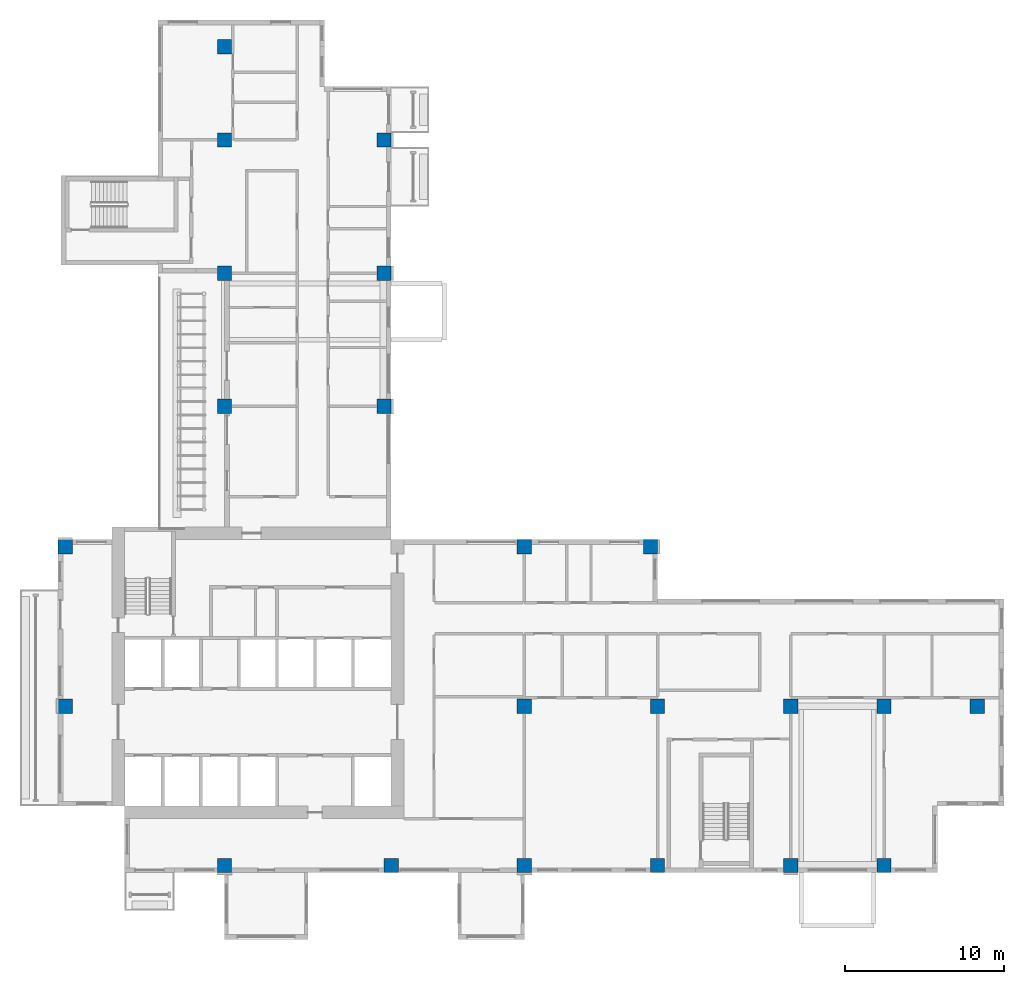
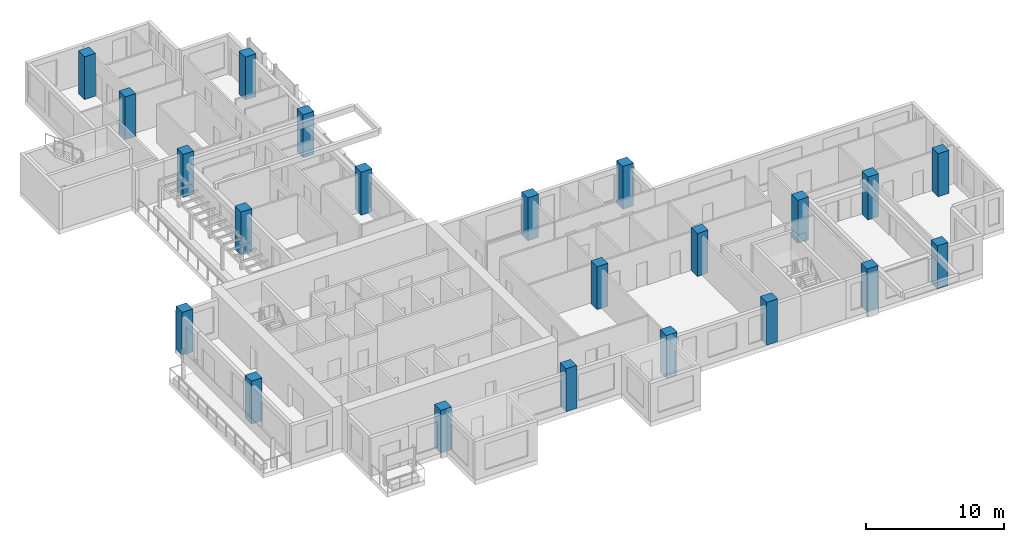
# One storey, part 1 of 14: 22 columns.
"""IFC4 building model written with IfcOpenShell, lengths in metres."""

from ifc_helpers import new_model, si_unit, direction, frame, origin, origin_2d, place, context, subcontext, project, spatial, rectangle, extrude, source, transform, mapped, material, material_profile, profile_set, type_object, element, save


model = new_model("IFC4")

# Units and contexts
model_context = context("Model", 3, precision=1e-05, world=origin(), true_north=direction((0.0, 1.0)))
body_context = subcontext(model_context, "Body", "Model", "MODEL_VIEW")
ifc_project = project(units=[si_unit("LENGTHUNIT", "METRE"), si_unit("AREAUNIT", "SQUARE_METRE"), si_unit("VOLUMEUNIT", "CUBIC_METRE"), si_unit("PLANEANGLEUNIT", "RADIAN"), si_unit("MASSUNIT", "GRAM", prefix="KILO")], contexts=[model_context])

# Site, building, storey
site_placement = place(None, origin())
site = spatial("IfcSite", under=ifc_project, at=site_placement, CompositionType="ELEMENT")
building_placement = place(site_placement, origin())
building = spatial("IfcBuilding", under=site, at=building_placement, Name="Aurelian Terraces", CompositionType="ELEMENT")
storey_placement = place(building_placement, frame((0.0, 0.0, 185.4)))
storey = spatial("IfcBuildingStorey", under=building, at=storey_placement, Name="L40", CompositionType="ELEMENT", Elevation=185.4)

# Columns
ifc_material = material(Name="Concrete fc' 70 MPa", Category="concrete")
ifc_material_profile = material_profile(ifc_material, rectangle(XDim=0.9, YDim=0.9, at=origin_2d()))
ifc_profile_set = profile_set([ifc_material_profile], Name="Concrete fc' 70 MPa")
column_type = type_object("IfcColumnType", Name="RC COLUMN 900X900 FC70", PredefinedType="COLUMN", material=ifc_profile_set)
shared_shape = source(origin(), body_context, "Body", "SweptSolid", [
    extrude(rectangle(XDim=0.9, YDim=0.9, at=origin_2d()), origin(), (0.0, 0.0, 1.0), 3.8),
])
for number, where, z_axis, x_axis, name in (
    (1, (10.5, 0.45, 0.0), (0.0, 0.0, 1.0), (1.0, 0.0, 0.0), "Column 2/A L40"),
    (2, (21.0, 0.45, 0.0), (0.0, 0.0, 1.0), (1.0, 0.0, 0.0), "Column 3/A L40"),
    (3, (29.4, 0.45, 0.0), (0.0, 0.0, 1.0), (1.0, 0.0, 0.0), "Column 4/A L40"),
    (4, (37.8, 0.45, 0.0), (0.0, 0.0, 1.0), (1.0, 0.0, 0.0), "Column 5/A L40"),
    (5, (46.2, 0.45, 0.0), (0.0, 0.0, 1.0), (1.0, 0.0, 0.0), "Column 6/A L40"),
    (6, (52.08, 0.45, 0.0), (0.0, 0.0, 1.0), (1.0, 0.0, 0.0), "Column 7/A L40"),
    (7, (0.45, 10.5, 0.0), (0.0, 0.0, 1.0), (1.0, 0.0, 0.0), "Column 1/B L40"),
    (8, (29.4, 10.5, 0.0), (0.0, 0.0, 1.0), (1.0, 0.0, 0.0), "Column 4/B L40"),
    (9, (37.8, 10.5, 0.0), (0.0, 0.0, 1.0), (1.0, 0.0, 0.0), "Column 5/B L40"),
    (10, (46.2, 10.5, 0.0), (0.0, 0.0, 1.0), (1.0, 0.0, 0.0), "Column 6/B L40"),
    (11, (52.08, 10.5, 0.0), (0.0, 0.0, 1.0), (1.0, 0.0, 0.0), "Column 7/B L40"),
    (12, (57.96, 10.5, 0.0), (0.0, 0.0, 1.0), (1.0, 0.0, 0.0), "Column 8/B L40"),
    (13, (0.45, 20.55, 0.0), (0.0, 0.0, 1.0), (1.0, 0.0, 0.0), "Column 1/C L40"),
    (14, (29.4, 20.55, 0.0), (0.0, 0.0, 1.0), (1.0, 0.0, 0.0), "Column 4/C L40"),
    (15, (37.35, 20.55, 0.0), (0.0, 0.0, 1.0), (1.0, 0.0, 0.0), "Column 5/C L40"),
    (16, (10.5, 29.4, 0.0), (0.0, 0.0, 1.0), (1.0, 0.0, 0.0), "Column 2/D L40"),
    (17, (20.55, 29.4, 0.0), (0.0, 0.0, 1.0), (1.0, 0.0, 0.0), "Column 3/D L40"),
    (18, (10.5, 37.8, 0.0), (0.0, 0.0, 1.0), (1.0, 0.0, 0.0), "Column 2/E L40"),
    (19, (20.55, 37.8, 0.0), (0.0, 0.0, 1.0), (1.0, 0.0, 0.0), "Column 3/E L40"),
    (20, (10.5, 46.2, 0.0), (0.0, 0.0, 1.0), (1.0, 0.0, 0.0), "Column 2/F L40"),
    (21, (20.55, 46.2, 0.0), (0.0, 0.0, 1.0), (1.0, 0.0, 0.0), "Column 3/F L40"),
    (22, (10.5, 52.08, 0.0), (0.0, 0.0, 1.0), (1.0, 0.0, 0.0), "Column 2/G L40"),
):
    element("IfcColumn", number, at=place(storey_placement, frame(where, z_axis=z_axis, x_axis=x_axis)), inside=storey, type_object=column_type, Name=name, PredefinedType="COLUMN", context=body_context, shape_type="MappedRepresentation", body=[
        mapped(shared_shape, transform((0.0, 0.0, 0.0), scale=1.0)),
    ])

save(model, "model.ifc")
